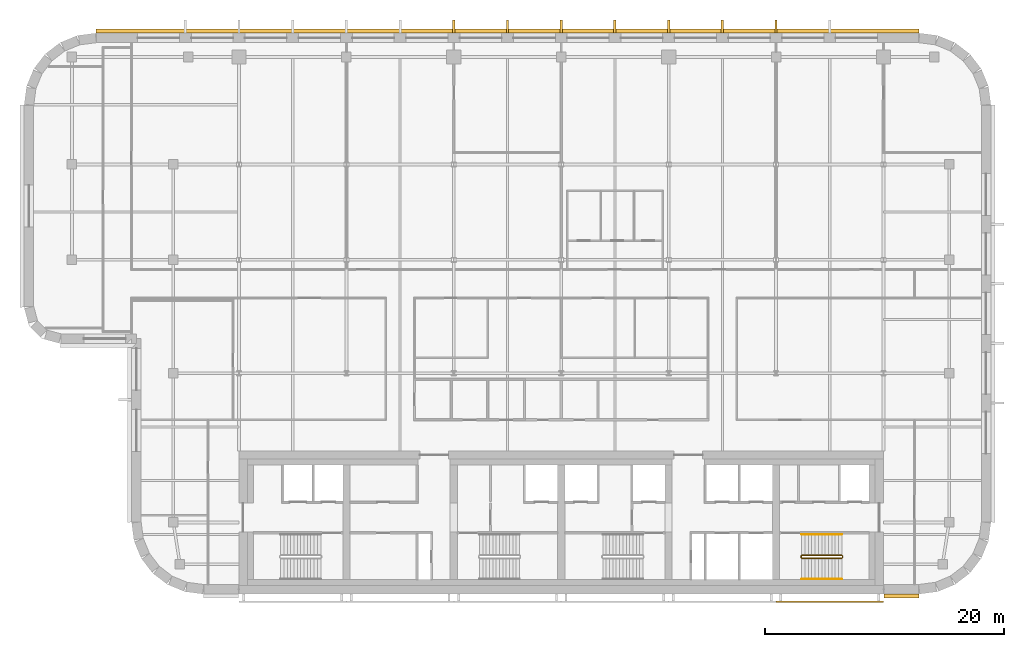
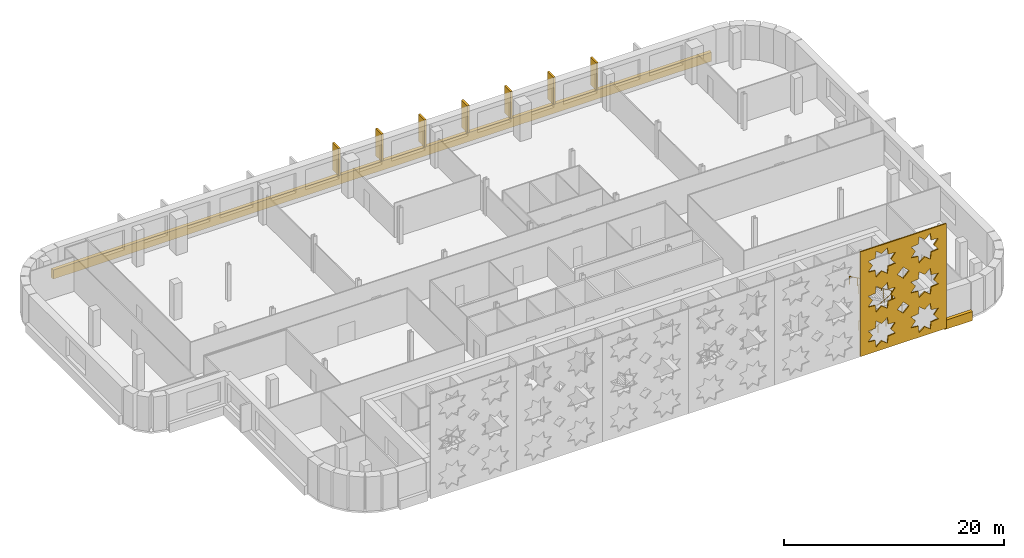
# One storey, part 15 of 17: 10 coverings, 3 railings.
"""IFC4 building model written with IfcOpenShell, lengths in metres."""

from ifc_helpers import new_model, si_unit, direction, frame, origin, origin_2d, place, context, subcontext, project, spatial, polyline, circle, outline, extrude, material, layer, layer_set, type_object, element, save


model = new_model("IFC4")

# Units and contexts
model_context = context("Model", 3, precision=1e-05, world=origin(), true_north=direction((0.0, 1.0)))
body_context = subcontext(model_context, "Body", "Model", "MODEL_VIEW")
ifc_project = project(units=[si_unit("LENGTHUNIT", "METRE"), si_unit("AREAUNIT", "SQUARE_METRE"), si_unit("VOLUMEUNIT", "CUBIC_METRE"), si_unit("PLANEANGLEUNIT", "RADIAN"), si_unit("MASSUNIT", "GRAM", prefix="KILO")], contexts=[model_context])

# Site, building, storey
site_placement = place(None, origin())
site = spatial("IfcSite", under=ifc_project, at=site_placement, CompositionType="ELEMENT")
building_placement = place(site_placement, origin())
building = spatial("IfcBuilding", under=site, at=building_placement, Name="Zellij Exchange Tower", CompositionType="ELEMENT")
storey_placement = place(building_placement, frame((0.0, 0.0, 252.5)))
storey = spatial("IfcBuildingStorey", under=building, at=storey_placement, Name="L59", CompositionType="ELEMENT", Elevation=252.5)

# Railings
ifc_material_1 = material(Name="Stainless steel", Category="steel")
railing_type_1 = type_object("IfcRailingType", Name="CORE-RG stair guard", PredefinedType="GUARDRAIL", material=ifc_material_1)
railing_1_placement = place(storey_placement, frame((20.10009765625, -10.949951171875, 0.0)))
element("IfcRailing", 1, at=railing_1_placement, inside=storey, type_object=railing_type_1, Name="ST4 stair guard L59", PredefinedType="GUARDRAIL", context=body_context, shape_type="SweptSolid", body=[
    extrude(circle(Radius=0.02392578125, at=origin_2d()), frame((0.0, 0.0, 1.076171875), z_axis=(0.0, 1.0, 0.0), x_axis=(-1.0, 0.0, 0.0)), (0.0, 0.0, 1.0), 0.14990234375),
    extrude(circle(Radius=0.02392578125, at=origin_2d()), frame((0.0, 0.14990234375, 1.076171875), z_axis=(0.193691321961, -0.777613689637, 0.598164376644), x_axis=(0.970351222016, 0.241699205484, 0.0)), (0.0, 0.0, 1.0), 0.257080078125),
    extrude(circle(Radius=0.02392578125, at=origin_2d()), frame((0.0498046875, -0.050048828125, 1.22998046875), z_axis=(0.876421534553, 0.0, 0.481544695509), x_axis=(0.0, 1.0, 0.0)), (0.0, 0.0, 1.0), 3.833984375),
    extrude(circle(Radius=0.02392578125, at=origin_2d()), frame((3.409912109375, -0.050048828125, 3.076171875), z_axis=(0.707106781187, 0.707106781187, 0.0), x_axis=(-0.707106781187, 0.707106781187, 0.0)), (0.0, 0.0, 1.0), 0.07080078125),
    extrude(circle(Radius=0.02392578125, at=origin_2d()), frame((3.4599609375, 0.0, 3.076171875), z_axis=(0.0, 1.0, 0.0), x_axis=(-1.0, 0.0, 0.0)), (0.0, 0.0, 1.0), 0.14990234375),
    extrude(circle(Radius=0.02392578125, at=origin_2d()), frame((3.4599609375, 0.14990234375, 3.076171875), z_axis=(-0.295599637079, 0.295599637079, 0.908428152975), x_axis=(-0.707106781187, -0.707106781187, 0.0)), (0.0, 0.0, 1.0), 0.16943359375),
    extrude(circle(Radius=0.02392578125, at=origin_2d()), frame((3.409912109375, 0.199951171875, 3.22998046875), z_axis=(-0.876421534553, 0.0, 0.481544695509), x_axis=(0.0, -1.0, 0.0)), (0.0, 0.0, 1.0), 3.833984375),
    extrude(circle(Radius=0.02099609375, at=origin_2d()), origin(), (0.0, 0.0, 1.0), 1.052001953125),
    extrude(circle(Radius=0.02099609375, at=origin_2d()), frame((0.0, 0.14990234375, 0.0)), (0.0, 0.0, 1.0), 1.052001953125),
    extrude(circle(Radius=0.02099609375, at=origin_2d()), frame((0.0498046875, -0.050048828125, 0.15380859375)), (0.0, 0.0, 1.0), 1.052001953125),
    extrude(circle(Radius=0.02099609375, at=origin_2d()), frame((0.889892578125, -0.050048828125, 0.615234375)), (0.0, 0.0, 1.0), 1.052001953125),
    extrude(circle(Radius=0.02099609375, at=origin_2d()), frame((1.72998046875, -0.050048828125, 1.076904296875)), (0.0, 0.0, 1.0), 1.052001953125),
    extrude(circle(Radius=0.02099609375, at=origin_2d()), frame((2.56982421875, -0.050048828125, 1.53857421875)), (0.0, 0.0, 1.0), 1.052001953125),
    extrude(circle(Radius=0.02099609375, at=origin_2d()), frame((3.409912109375, -0.050048828125, 2.0)), (0.0, 0.0, 1.0), 1.052001953125),
    extrude(circle(Radius=0.02099609375, at=origin_2d()), frame((3.4599609375, 0.0, 2.0)), (0.0, 0.0, 1.0), 1.052001953125),
    extrude(circle(Radius=0.02099609375, at=origin_2d()), frame((3.4599609375, 0.14990234375, 2.0)), (0.0, 0.0, 1.0), 1.052001953125),
    extrude(circle(Radius=0.02099609375, at=origin_2d()), frame((3.409912109375, 0.199951171875, 2.15380859375)), (0.0, 0.0, 1.0), 1.052001953125),
    extrude(circle(Radius=0.02099609375, at=origin_2d()), frame((2.56982421875, 0.199951171875, 2.615234375)), (0.0, 0.0, 1.0), 1.052001953125),
    extrude(circle(Radius=0.02099609375, at=origin_2d()), frame((1.72998046875, 0.199951171875, 3.076904296875)), (0.0, 0.0, 1.0), 1.052001953125),
    extrude(circle(Radius=0.02099609375, at=origin_2d()), frame((0.889892578125, 0.199951171875, 3.53857421875)), (0.0, 0.0, 1.0), 1.052001953125),
    extrude(circle(Radius=0.02099609375, at=origin_2d()), frame((0.0498046875, 0.199951171875, 4.0)), (0.0, 0.0, 1.0), 1.052001953125),
])
railing_type_2 = type_object("IfcRailingType", Name="CORE-RH stair handrail", PredefinedType="HANDRAIL", material=ifc_material_1)
railing_2_placement = place(storey_placement, frame((20.14990234375, -12.75, 0.15380859375)))
element("IfcRailing", 2, at=railing_2_placement, inside=storey, type_object=railing_type_2, Name="ST4 stair handrail L59", PredefinedType="HANDRAIL", context=body_context, shape_type="SweptSolid", body=[
    extrude(circle(Radius=0.02392578125, at=origin_2d()), frame((0.0, 0.0, 0.8759765625), z_axis=(0.876421534553, 0.0, 0.481544695509), x_axis=(0.0, 1.0, 0.0)), (0.0, 0.0, 1.0), 3.833984375),
    extrude(circle(Radius=0.02099609375, at=origin_2d()), origin(), (0.0, 0.0, 1.0), 0.851806640625),
    extrude(circle(Radius=0.02099609375, at=origin_2d()), frame((0.840087890625, 0.0, 0.46142578125)), (0.0, 0.0, 1.0), 0.851806640625),
    extrude(circle(Radius=0.02099609375, at=origin_2d()), frame((1.68017578125, 0.0, 0.923095703125)), (0.0, 0.0, 1.0), 0.851806640625),
    extrude(circle(Radius=0.02099609375, at=origin_2d()), frame((2.52001953125, 0.0, 1.384765625)), (0.0, 0.0, 1.0), 0.851806640625),
    extrude(circle(Radius=0.02099609375, at=origin_2d()), frame((3.360107421875, 0.0, 1.84619140625)), (0.0, 0.0, 1.0), 0.851806640625),
])
railing_3_placement = place(storey_placement, frame((23.510009765625, -9.0, 2.15380859375)))
element("IfcRailing", 3, at=railing_3_placement, inside=storey, type_object=railing_type_2, Name="ST4 stair handrail L59", PredefinedType="HANDRAIL", context=body_context, shape_type="SweptSolid", body=[
    extrude(circle(Radius=0.02392578125, at=origin_2d()), frame((0.0, 0.0, 0.8759765625), z_axis=(-0.876421534553, 0.0, 0.481544695509), x_axis=(0.0, -1.0, 0.0)), (0.0, 0.0, 1.0), 3.833984375),
    extrude(circle(Radius=0.02099609375, at=origin_2d()), origin(), (0.0, 0.0, 1.0), 0.851806640625),
    extrude(circle(Radius=0.02099609375, at=origin_2d()), frame((-0.840087890625, 0.0, 0.46142578125)), (0.0, 0.0, 1.0), 0.851806640625),
    extrude(circle(Radius=0.02099609375, at=origin_2d()), frame((-1.68017578125, 0.0, 0.923095703125)), (0.0, 0.0, 1.0), 0.851806640625),
    extrude(circle(Radius=0.02099609375, at=origin_2d()), frame((-2.52001953125, 0.0, 1.384765625)), (0.0, 0.0, 1.0), 0.851806640625),
    extrude(circle(Radius=0.02099609375, at=origin_2d()), frame((-3.360107421875, 0.0, 1.84619140625)), (0.0, 0.0, 1.0), 0.851806640625),
])

# Coverings
ifc_material_2 = material(Name="Limestone cladding", Category="masonry")
ifc_layer_1 = layer(ifc_material_2, 0.35009765625)
ifc_layer_set_1 = layer_set([ifc_layer_1], Name="Limestone cladding")
covering_type_1 = type_object("IfcCoveringType", Name="ENV-CV10 Stone spandrel band 350", PredefinedType="CLADDING", material=ifc_layer_set_1)
covering_1_placement = place(storey_placement, frame((0.0, 0.0, -0.199951171875)))
element("IfcCovering", 4, at=covering_1_placement, inside=storey, type_object=covering_type_1, Name="Stone spandrel band", PredefinedType="CLADDING", context=body_context, shape_type="SweptSolid", body=[
    extrude(outline(polyline([(27.050048828125, -14.0), (29.973876953125, -14.0), (29.973876953125, -14.35009765625), (27.050048828125, -14.35009765625), (27.050048828125, -14.0)])), origin(), (0.0, 0.0, 1.0), 1.0),
])
covering_2_placement = place(storey_placement, frame((0.0, 0.0, -0.199951171875)))
element("IfcCovering", 5, at=covering_2_placement, inside=storey, type_object=covering_type_1, Name="Stone spandrel band", PredefinedType="CLADDING", context=body_context, shape_type="SweptSolid", body=[
    extrude(outline(polyline([(29.973876953125, 33.0), (-38.973876953125, 33.0), (-38.99658203125, 33.35009765625), (29.99658203125, 33.35009765625), (29.973876953125, 33.0)])), origin(), (0.0, 0.0, 1.0), 1.0),
])
covering_type_2 = type_object("IfcCoveringType", Name="ENV-CV6 Stone pier 200x1100", PredefinedType="CLADDING", material=ifc_material_2)
covering_3_placement = place(storey_placement, frame((0.0, 0.0, 0.800048828125)))
element("IfcCovering", 6, at=covering_3_placement, inside=storey, type_object=covering_type_2, Name="Stone pier", PredefinedType="CLADDING", context=body_context, shape_type="SweptSolid", body=[
    extrude(outline(polyline([(18.10009765625, 33.0), (17.89990234375, 33.0), (17.89990234375, 34.10009765625), (18.10009765625, 34.10009765625), (18.10009765625, 33.0)])), origin(), (0.0, 0.0, 1.0), 3.0),
])
covering_4_placement = place(storey_placement, frame((0.0, 0.0, 0.800048828125)))
element("IfcCovering", 7, at=covering_4_placement, inside=storey, type_object=covering_type_2, Name="Stone pier", PredefinedType="CLADDING", context=body_context, shape_type="SweptSolid", body=[
    extrude(outline(polyline([(13.60009765625, 33.0), (13.39990234375, 33.0), (13.39990234375, 34.10009765625), (13.60009765625, 34.10009765625), (13.60009765625, 33.0)])), origin(), (0.0, 0.0, 1.0), 3.0),
])
covering_5_placement = place(storey_placement, frame((0.0, 0.0, 0.800048828125)))
element("IfcCovering", 8, at=covering_5_placement, inside=storey, type_object=covering_type_2, Name="Stone pier", PredefinedType="CLADDING", context=body_context, shape_type="SweptSolid", body=[
    extrude(outline(polyline([(9.10009765625, 33.0), (8.89990234375, 33.0), (8.89990234375, 34.10009765625), (9.10009765625, 34.10009765625), (9.10009765625, 33.0)])), origin(), (0.0, 0.0, 1.0), 3.0),
])
covering_6_placement = place(storey_placement, frame((0.0, 0.0, 0.800048828125)))
element("IfcCovering", 9, at=covering_6_placement, inside=storey, type_object=covering_type_2, Name="Stone pier", PredefinedType="CLADDING", context=body_context, shape_type="SweptSolid", body=[
    extrude(outline(polyline([(4.60009765625, 33.0), (4.39990234375, 33.0), (4.39990234375, 34.10009765625), (4.60009765625, 34.10009765625), (4.60009765625, 33.0)])), origin(), (0.0, 0.0, 1.0), 3.0),
])
covering_7_placement = place(storey_placement, frame((0.0, 0.0, 0.800048828125)))
element("IfcCovering", 10, at=covering_7_placement, inside=storey, type_object=covering_type_2, Name="Stone pier", PredefinedType="CLADDING", context=body_context, shape_type="SweptSolid", body=[
    extrude(outline(polyline([(0.10009765625, 33.0), (-0.10009765625, 33.0), (-0.10009765625, 34.10009765625), (0.10009765625, 34.10009765625), (0.10009765625, 33.0)])), origin(), (0.0, 0.0, 1.0), 3.0),
])
covering_8_placement = place(storey_placement, frame((0.0, 0.0, 0.800048828125)))
element("IfcCovering", 11, at=covering_8_placement, inside=storey, type_object=covering_type_2, Name="Stone pier", PredefinedType="CLADDING", context=body_context, shape_type="SweptSolid", body=[
    extrude(outline(polyline([(-4.39990234375, 33.0), (-4.60009765625, 33.0), (-4.60009765625, 34.10009765625), (-4.39990234375, 34.10009765625), (-4.39990234375, 33.0)])), origin(), (0.0, 0.0, 1.0), 3.0),
])
covering_9_placement = place(storey_placement, frame((0.0, 0.0, 0.800048828125)))
element("IfcCovering", 12, at=covering_9_placement, inside=storey, type_object=covering_type_2, Name="Stone pier", PredefinedType="CLADDING", context=body_context, shape_type="SweptSolid", body=[
    extrude(outline(polyline([(-8.89990234375, 33.0), (-9.10009765625, 33.0), (-9.10009765625, 34.10009765625), (-8.89990234375, 34.10009765625), (-8.89990234375, 33.0)])), origin(), (0.0, 0.0, 1.0), 3.0),
])
ifc_material_3 = material(Name="Limestone screen", Category="masonry")
ifc_layer_2 = layer(ifc_material_3, 0.1201171875)
ifc_layer_set_2 = layer_set([ifc_layer_2], Name="Limestone screen")
covering_type_3 = type_object("IfcCoveringType", Name="ENV-SC5 Pierced stone relief 120", PredefinedType="USERDEFINED", material=ifc_layer_set_2)
covering_10_placement = place(storey_placement, frame((18.0, -14.659912109375, 0.199951171875), z_axis=(0.0, 0.0, 1.0), x_axis=(1.0, 0.0, 0.0)))
element("IfcCovering", 13, at=covering_10_placement, inside=storey, type_object=covering_type_3, Name="Pierced stone relief", ObjectType="SCREEN", PredefinedType="USERDEFINED", context=body_context, shape_type="SweptSolid", body=[
    extrude(outline(polyline([(0.0, 0.0), (9.0, 0.0), (9.0, 11.60009765625), (0.0, 11.60009765625), (0.0, 0.0)]), holes=[polyline([(3.678955078125, 2.525146484375), (2.927978515625, 2.611328125), (2.841796875, 3.3623046875), (2.25, 2.892333984375), (1.658203125, 3.3623046875), (1.572021484375, 2.611328125), (0.821044921875, 2.525146484375), (1.291015625, 1.933349609375), (0.821044921875, 1.34130859375), (1.572021484375, 1.25537109375), (1.658203125, 0.50439453125), (2.25, 0.974365234375), (2.841796875, 0.50439453125), (2.927978515625, 1.25537109375), (3.678955078125, 1.34130859375), (3.208984375, 1.933349609375), (3.678955078125, 2.525146484375)]), polyline([(3.678955078125, 6.391845703125), (2.927978515625, 6.47802734375), (2.841796875, 7.22900390625), (2.25, 6.7587890625), (1.658203125, 7.22900390625), (1.572021484375, 6.47802734375), (0.821044921875, 6.391845703125), (1.291015625, 5.800048828125), (0.821044921875, 5.2080078125), (1.572021484375, 5.121826171875), (1.658203125, 4.37109375), (2.25, 4.841064453125), (2.841796875, 4.37109375), (2.927978515625, 5.121826171875), (3.678955078125, 5.2080078125), (3.208984375, 5.800048828125), (3.678955078125, 6.391845703125)]), polyline([(3.678955078125, 10.258544921875), (2.927978515625, 10.3447265625), (2.841796875, 11.095703125), (2.25, 10.62548828125), (1.658203125, 11.095703125), (1.572021484375, 10.3447265625), (0.821044921875, 10.258544921875), (1.291015625, 9.666748046875), (0.821044921875, 9.07470703125), (1.572021484375, 8.988525390625), (1.658203125, 8.23779296875), (2.25, 8.707763671875), (2.841796875, 8.23779296875), (2.927978515625, 8.988525390625), (3.678955078125, 9.07470703125), (3.208984375, 9.666748046875), (3.678955078125, 10.258544921875)]), polyline([(8.178955078125, 2.525146484375), (7.427978515625, 2.611328125), (7.341796875, 3.3623046875), (6.75, 2.892333984375), (6.158203125, 3.3623046875), (6.072021484375, 2.611328125), (5.321044921875, 2.525146484375), (5.791015625, 1.933349609375), (5.321044921875, 1.34130859375), (6.072021484375, 1.25537109375), (6.158203125, 0.50439453125), (6.75, 0.974365234375), (7.341796875, 0.50439453125), (7.427978515625, 1.25537109375), (8.178955078125, 1.34130859375), (7.708984375, 1.933349609375), (8.178955078125, 2.525146484375)]), polyline([(8.178955078125, 6.391845703125), (7.427978515625, 6.47802734375), (7.341796875, 7.22900390625), (6.75, 6.7587890625), (6.158203125, 7.22900390625), (6.072021484375, 6.47802734375), (5.321044921875, 6.391845703125), (5.791015625, 5.800048828125), (5.321044921875, 5.2080078125), (6.072021484375, 5.121826171875), (6.158203125, 4.37109375), (6.75, 4.841064453125), (7.341796875, 4.37109375), (7.427978515625, 5.121826171875), (8.178955078125, 5.2080078125), (7.708984375, 5.800048828125), (8.178955078125, 6.391845703125)]), polyline([(8.178955078125, 10.258544921875), (7.427978515625, 10.3447265625), (7.341796875, 11.095703125), (6.75, 10.62548828125), (6.158203125, 11.095703125), (6.072021484375, 10.3447265625), (5.321044921875, 10.258544921875), (5.791015625, 9.666748046875), (5.321044921875, 9.07470703125), (6.072021484375, 8.988525390625), (6.158203125, 8.23779296875), (6.75, 8.707763671875), (7.341796875, 8.23779296875), (7.427978515625, 8.988525390625), (8.178955078125, 9.07470703125), (7.708984375, 9.666748046875), (8.178955078125, 10.258544921875)]), polyline([(5.11865234375, 3.86669921875), (4.5, 4.4853515625), (3.88134765625, 3.86669921875), (4.5, 3.248046875), (5.11865234375, 3.86669921875)]), polyline([(5.11865234375, 7.7333984375), (4.5, 8.35205078125), (3.88134765625, 7.7333984375), (4.5, 7.11474609375), (5.11865234375, 7.7333984375)])]), frame((0.0, 0.06005859375, 0.0), z_axis=(0.0, -1.0, 0.0), x_axis=(1.0, 0.0, 0.0)), (0.0, 0.0, 1.0), 0.1201171875),
])

save(model, "model.ifc")
